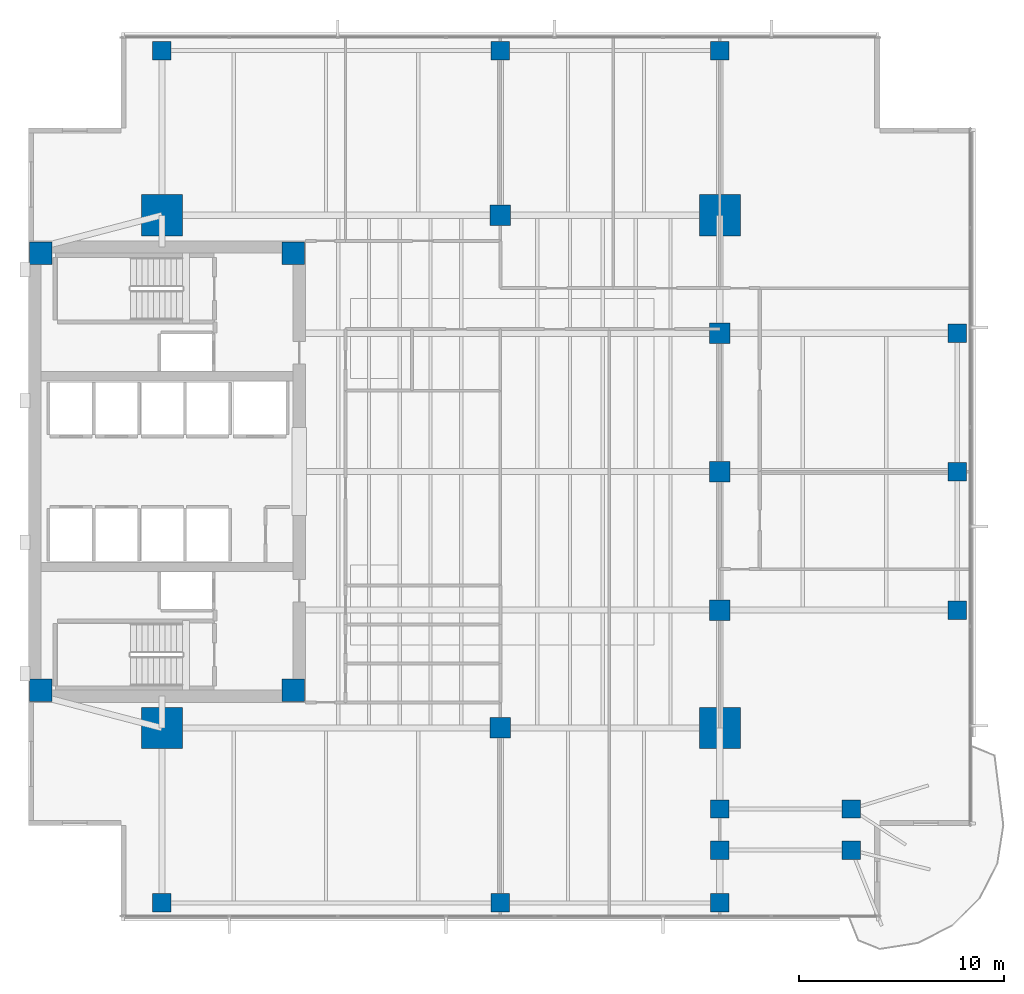
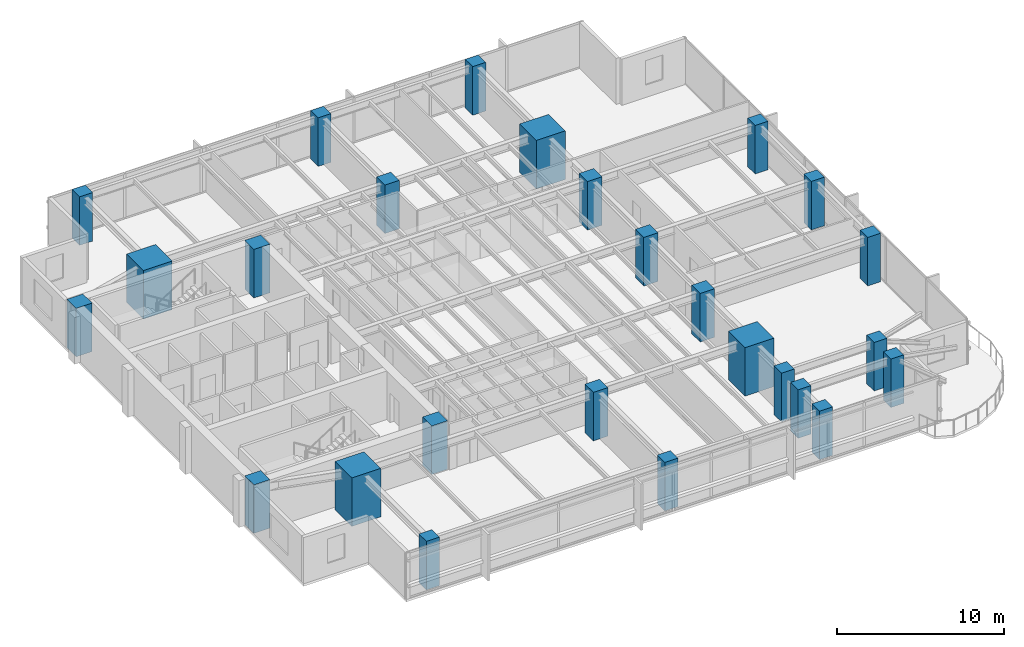
# One storey, part 1 of 14: 26 columns.
"""IFC4 building model written with IfcOpenShell, lengths in metres."""

from ifc_helpers import new_model, si_unit, direction, frame, origin, origin_2d, place, context, subcontext, project, spatial, rectangle, extrude, material, material_profile, profile_set, type_object, element, save


model = new_model("IFC4")

# Units and contexts
model_context = context("Model", 3, precision=1e-05, world=origin(), true_north=direction((0.0, 1.0)))
body_context = subcontext(model_context, "Body", "Model", "MODEL_VIEW")
ifc_project = project(units=[si_unit("LENGTHUNIT", "METRE"), si_unit("AREAUNIT", "SQUARE_METRE"), si_unit("VOLUMEUNIT", "CUBIC_METRE"), si_unit("PLANEANGLEUNIT", "RADIAN"), si_unit("MASSUNIT", "GRAM", prefix="KILO")], contexts=[model_context])

# Site, building, storey
site_placement = place(None, origin())
site = spatial("IfcSite", under=ifc_project, at=site_placement, CompositionType="ELEMENT")
building_placement = place(site_placement, origin())
building = spatial("IfcBuilding", under=site, at=building_placement, Name="Kinhvarn Gate Tower", CompositionType="ELEMENT")
storey_placement = place(building_placement, frame((0.0, 0.0, 123.550048828125)))
storey = spatial("IfcBuildingStorey", under=building, at=storey_placement, Name="L32", CompositionType="ELEMENT", Elevation=123.550048828125)

# Columns
ifc_material = material(Name="Concrete C60/75", Category="concrete")
ifc_material_profile_1 = material_profile(ifc_material, rectangle(XDim=2.0, YDim=2.0, at=origin_2d()), Name="RC 2000x2000")
ifc_profile_set_1 = profile_set([ifc_material_profile_1], Name="Concrete C60/75")
column_type_1 = type_object("IfcColumnType", Name="COL-MC-2000", PredefinedType="COLUMN", material=ifc_profile_set_1)
for number, where, z_axis, x_axis, name in (
    (1, (11.0, 12.75, 0.0), (0.0, 0.0, 1.0), (1.0, 0.0, 0.0), "Column MC1-L32 (MC-20)"),
    (2, (11.0, 37.75, 0.0), (0.0, 0.0, 1.0), (1.0, 0.0, 0.0), "Column MC4-L32 (MC-20)"),
    (3, (38.199951171875, 12.75, 0.0), (0.0, 0.0, 1.0), (1.0, 0.0, 0.0), "Column MC2-L32 (MC-20)"),
    (4, (38.199951171875, 37.75, 0.0), (0.0, 0.0, 1.0), (1.0, 0.0, 0.0), "Column MC3-L32 (MC-20)"),
):
    element("IfcColumn", number, at=place(storey_placement, frame(where, z_axis=z_axis, x_axis=x_axis)), inside=storey, type_object=column_type_1, Name=name, PredefinedType="COLUMN", context=body_context, shape_type="SweptSolid", body=[
        extrude(rectangle(XDim=2.0, YDim=2.0, at=origin_2d()), origin(), (0.0, 0.0, 1.0), 3.550048828125),
    ])
ifc_material_profile_2 = material_profile(ifc_material, rectangle(XDim=1.0, YDim=1.0, at=origin_2d()), Name="RC 1000x1000")
ifc_profile_set_2 = profile_set([ifc_material_profile_2], Name="Concrete C60/75")
column_type_2 = type_object("IfcColumnType", Name="COL-RC-1000", PredefinedType="COLUMN", material=ifc_profile_set_2)
for number, where, z_axis, x_axis, name in (
    (5, (27.5, 12.75, 0.0), (0.0, 0.0, 1.0), (1.0, 0.0, 0.0), "Column SP27-S-L32 (C-100)"),
    (6, (27.5, 37.75, 0.0), (0.0, 0.0, 1.0), (1.0, 0.0, 0.0), "Column SP27-N-L32 (C-100)"),
    (7, (38.199951171875, 18.5, 0.0), (0.0, 0.0, 1.0), (1.0, 0.0, 0.0), "Column SP38-E1-L32 (C-100)"),
    (8, (38.199951171875, 25.25, 0.0), (0.0, 0.0, 1.0), (1.0, 0.0, 0.0), "Column SP38-E2-L32 (C-100)"),
    (9, (38.199951171875, 32.0, 0.0), (0.0, 0.0, 1.0), (1.0, 0.0, 0.0), "Column SP38-E3-L32 (C-100)"),
):
    element("IfcColumn", number, at=place(storey_placement, frame(where, z_axis=z_axis, x_axis=x_axis)), inside=storey, type_object=column_type_2, Name=name, PredefinedType="COLUMN", context=body_context, shape_type="SweptSolid", body=[
        extrude(rectangle(XDim=1.0, YDim=1.0, at=origin_2d()), origin(), (0.0, 0.0, 1.0), 3.550048828125),
    ])
ifc_material_profile_3 = material_profile(ifc_material, rectangle(XDim=0.89990234375, YDim=0.89990234375, at=origin_2d()), Name="RC 900x900")
ifc_profile_set_3 = profile_set([ifc_material_profile_3], Name="Concrete C60/75")
column_type_3 = type_object("IfcColumnType", Name="COL-RC-900", PredefinedType="COLUMN", material=ifc_profile_set_3)
for number, where, z_axis, x_axis, name in (
    (10, (38.199951171875, 6.800048828125, 0.0), (0.0, 0.0, 1.0), (1.0, 0.0, 0.0), "Column CS-ANC68-L32 (C-090)"),
    (11, (38.199951171875, 8.800048828125, 0.0), (0.0, 0.0, 1.0), (1.0, 0.0, 0.0), "Column CS-ANC88-L32 (C-090)"),
    (12, (44.6201171875, 6.800048828125, 0.0), (0.0, 0.0, 1.0), (1.0, 0.0, 0.0), "Column CS-SE2-L32 (C-090)"),
    (13, (44.6201171875, 8.800048828125, 0.0), (0.0, 0.0, 1.0), (1.0, 0.0, 0.0), "Column CS-SE2B-L32 (C-090)"),
    (14, (49.780029296875, 18.5, 0.0), (0.0, 0.0, 1.0), (1.0, 0.0, 0.0), "Column CE-1-L32 (C-090)"),
    (15, (49.780029296875, 25.25, 0.0), (0.0, 0.0, 1.0), (1.0, 0.0, 0.0), "Column CE-2-L32 (C-090)"),
    (16, (49.780029296875, 32.0, 0.0), (0.0, 0.0, 1.0), (1.0, 0.0, 0.0), "Column CE-3-L32 (C-090)"),
    (17, (11.0, 4.219970703125, 0.0), (0.0, 0.0, 1.0), (1.0, 0.0, 0.0), "Column CS-0-L32 (C-090)"),
    (18, (27.5, 4.219970703125, 0.0), (0.0, 0.0, 1.0), (1.0, 0.0, 0.0), "Column CS-1-L32 (C-090)"),
    (19, (38.199951171875, 4.219970703125, 0.0), (0.0, 0.0, 1.0), (1.0, 0.0, 0.0), "Column CS-2-L32 (C-090)"),
    (20, (11.0, 45.780029296875, 0.0), (0.0, 0.0, 1.0), (1.0, 0.0, 0.0), "Column CN-0-L32 (C-090)"),
    (21, (27.5, 45.780029296875, 0.0), (0.0, 0.0, 1.0), (1.0, 0.0, 0.0), "Column CN-1-L32 (C-090)"),
    (22, (38.199951171875, 45.780029296875, 0.0), (0.0, 0.0, 1.0), (1.0, 0.0, 0.0), "Column CN-2-L32 (C-090)"),
):
    element("IfcColumn", number, at=place(storey_placement, frame(where, z_axis=z_axis, x_axis=x_axis)), inside=storey, type_object=column_type_3, Name=name, PredefinedType="COLUMN", context=body_context, shape_type="SweptSolid", body=[
        extrude(rectangle(XDim=0.89990234375, YDim=0.89990234375, at=origin_2d()), origin(), (0.0, 0.0, 1.0), 3.550048828125),
    ])
ifc_material_profile_4 = material_profile(ifc_material, rectangle(XDim=1.10009765625, YDim=1.10009765625, at=origin_2d()), Name="RC 1100x1100")
ifc_profile_set_4 = profile_set([ifc_material_profile_4], Name="Concrete C60/75")
column_type_4 = type_object("IfcColumnType", Name="PIL-RC-1100", PredefinedType="PILASTER", material=ifc_profile_set_4)
for number, where, z_axis, x_axis, name in (
    (23, (5.10009765625, 14.60009765625, 0.0), (0.0, 0.0, 1.0), (1.0, 0.0, 0.0), "Column CC-SW-L32 (CP-110)"),
    (24, (5.10009765625, 35.89990234375, 0.0), (0.0, 0.0, 1.0), (1.0, 0.0, 0.0), "Column CC-NW-L32 (CP-110)"),
    (25, (17.39990234375, 14.60009765625, 0.0), (0.0, 0.0, 1.0), (1.0, 0.0, 0.0), "Column CC-SE-L32 (CP-110)"),
    (26, (17.39990234375, 35.89990234375, 0.0), (0.0, 0.0, 1.0), (1.0, 0.0, 0.0), "Column CC-NE-L32 (CP-110)"),
):
    element("IfcColumn", number, at=place(storey_placement, frame(where, z_axis=z_axis, x_axis=x_axis)), inside=storey, type_object=column_type_4, Name=name, PredefinedType="PILASTER", context=body_context, shape_type="SweptSolid", body=[
        extrude(rectangle(XDim=1.10009765625, YDim=1.10009765625, at=origin_2d()), origin(), (0.0, 0.0, 1.0), 3.550048828125),
    ])

save(model, "model.ifc")
